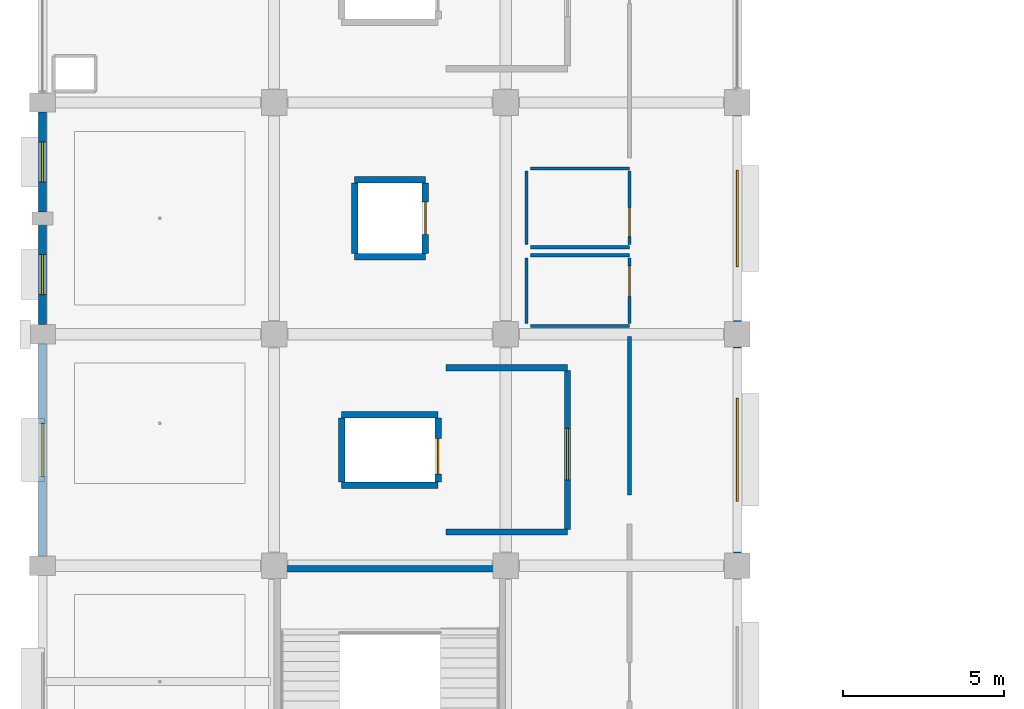
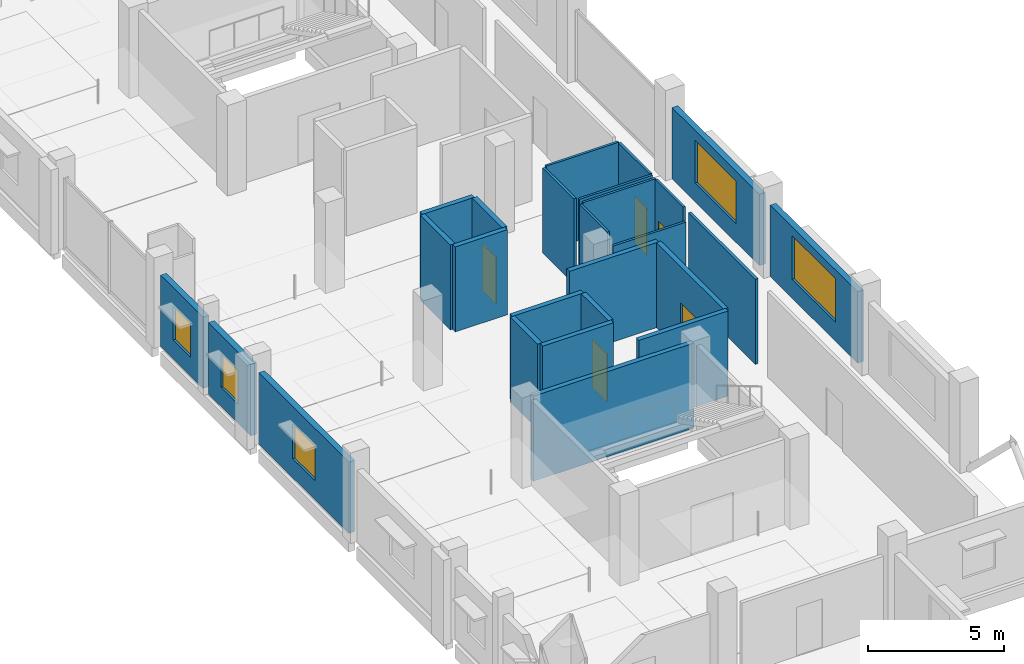
# One storey, part 80 of 108: 26 walls, 5 doors, 5 windows, 10 openings.
"""IFC4 building model written with IfcOpenShell, lengths in metres."""

from ifc_helpers import new_model, si_unit, direction, frame, frame_2d, origin, place, context, subcontext, project, spatial, rectangle, extrude, material, layer, layer_set, type_object, element, fill, save


model = new_model("IFC4")

# Units and contexts
model_context = context("Model", 3, precision=1e-05, world=origin(), true_north=direction((0.0, 1.0)))
body_context = subcontext(model_context, "Body", "Model", "MODEL_VIEW")
ifc_project = project(units=[si_unit("LENGTHUNIT", "METRE"), si_unit("AREAUNIT", "SQUARE_METRE"), si_unit("VOLUMEUNIT", "CUBIC_METRE"), si_unit("PLANEANGLEUNIT", "RADIAN"), si_unit("MASSUNIT", "GRAM", prefix="KILO")], contexts=[model_context])

# Site, building, storey
site_placement = place(None, origin())
site = spatial("IfcSite", under=ifc_project, at=site_placement, CompositionType="ELEMENT")
building_placement = place(site_placement, origin())
building = spatial("IfcBuilding", under=site, at=building_placement, Name="Kangsadwip Square Police Headquarters", CompositionType="ELEMENT")
storey_placement = place(building_placement, frame((0.0, 0.0, 9.449951171875)))
storey = spatial("IfcBuildingStorey", under=building, at=storey_placement, Name="L02", CompositionType="ELEMENT", Elevation=9.449951171875)

# Wall
ifc_material_1 = material(Name="Fire-rated double gypsum board acoustic stud partition", Category="masonry")
ifc_layer_1 = layer(ifc_material_1, 0.1201171875)
ifc_layer_set_1 = layer_set([ifc_layer_1], Name="Fire-rated double gypsum board acoustic stud partition")
wall_type_1 = type_object("IfcWallType", Name="AcousticPartition120", PredefinedType="PARTITIONING", material=ifc_layer_set_1)
wall_1_placement = place(storey_placement, frame((18.25, 52.60009765625, 0.0), z_axis=(0.0, 0.0, 1.0), x_axis=(0.0, 1.0, 0.0)))
element("IfcWall", 1, at=wall_1_placement, inside=storey, type_object=wall_type_1, Name="Interior Wall WI-L02-0781", PredefinedType="PARTITIONING", context=body_context, shape_type="SweptSolid", body=[
    extrude(rectangle(XDim=4.919921875, YDim=0.1201171875, at=frame_2d((2.4599609375, 0.0))), origin(), (0.0, 0.0, 1.0), 3.81005859375),
])

# Wall, opening, window
ifc_material_2 = material(Name="Glazed architectural terracotta masonry rainscreen", Category="masonry")
ifc_layer_2 = layer(ifc_material_2, 0.25)
ifc_layer_set_2 = layer_set([ifc_layer_2], Name="Glazed architectural terracotta masonry rainscreen")
wall_type_2 = type_object("IfcWallType", Name="ChicagoTerracottaWall250", PredefinedType="SOLIDWALL", material=ifc_layer_set_2)
wall_2_placement = place(storey_placement, frame((0.0, 50.695068359375, 0.0), z_axis=(0.0, 0.0, 1.0), x_axis=(0.0, 1.0, 0.0)))
wall_2 = element("IfcWall", 2, at=wall_2_placement, inside=storey, type_object=wall_type_2, Name="Exterior Wall WE-L02-321", PredefinedType="SOLIDWALL", context=body_context, shape_type="SweptSolid", body=[
    extrude(rectangle(XDim=6.60986328125, YDim=0.25, at=frame_2d((3.304931640625, 0.0))), origin(), (0.0, 0.0, 1.0), 3.195068359375),
])
opening_1_placement = place(wall_2_placement, frame((2.47998046875, 0.0, 0.85009765625)))
opening_1 = element("IfcOpeningElement", 3, at=opening_1_placement, cuts=wall_2, Name="Opening WN-11", PredefinedType="OPENING", context=body_context, shape_type="SweptSolid", body=[
    extrude(rectangle(XDim=1.64990234375, YDim=1.550048828125, at=frame_2d((0.824951171875, 0.77490234375))), frame((0.0, 0.135009765625, 0.0), z_axis=(0.0, -1.0, 0.0), x_axis=(1.0, 0.0, 0.0)), (0.0, 0.0, 1.0), 0.27001953125),
])
ifc_material_3 = material(Name="Double-glazed solar-control low-E safety glass", Category="glass")
window_type_1 = type_object("IfcWindowType", Name="LabCleanViewWin1650x1550", PartitioningType="SINGLE_PANEL", PredefinedType="WINDOW", material=ifc_material_3)
window_1_placement = place(opening_1_placement, origin())
window_1 = element("IfcWindow", 4, at=window_1_placement, inside=storey, type_object=window_type_1, Name="Window WN-L02-0174", OverallHeight=1.550048828125, OverallWidth=1.64990234375, PartitioningType="SINGLE_PANEL", PredefinedType="WINDOW", context=body_context, shape_type="SweptSolid", body=[
    extrude(rectangle(XDim=1.64990234375, YDim=1.550048828125, at=frame_2d((0.824951171875, 0.77490234375))), frame((0.0, 0.030029296875, 0.0), z_axis=(0.0, -1.0, 0.0), x_axis=(1.0, 0.0, 0.0)), (0.0, 0.0, 1.0), 0.06005859375),
])
fill(opening_1, window_1)

wall_3_placement = place(storey_placement, frame((0.0, 57.89501953125, 0.0), z_axis=(0.0, 0.0, 1.0), x_axis=(0.0, 1.0, 0.0)))
wall_3 = element("IfcWall", 5, at=wall_3_placement, inside=storey, type_object=wall_type_2, Name="Exterior Wall WE-L02-322", PredefinedType="SOLIDWALL", context=body_context, shape_type="SweptSolid", body=[
    extrude(rectangle(XDim=3.10986328125, YDim=0.25, at=frame_2d((1.554931640625, 0.0))), origin(), (0.0, 0.0, 1.0), 3.195068359375),
])
opening_2_placement = place(wall_3_placement, frame((0.929931640625, 0.0, 0.85009765625)))
opening_2 = element("IfcOpeningElement", 6, at=opening_2_placement, cuts=wall_3, Name="Opening WN-14", PredefinedType="OPENING", context=body_context, shape_type="SweptSolid", body=[
    extrude(rectangle(XDim=1.25, YDim=1.5, at=frame_2d((0.625, 0.75))), frame((0.0, 0.135009765625, 0.0), z_axis=(0.0, -1.0, 0.0), x_axis=(1.0, 0.0, 0.0)), (0.0, 0.0, 1.0), 0.27001953125),
])
ifc_material_4 = material(Name="Double-glazed solar-control low-E safety glass", Category="glass")
window_type_2 = type_object("IfcWindowType", Name="OfficeCasementWin1250x1500", PartitioningType="SINGLE_PANEL", PredefinedType="WINDOW", material=ifc_material_4)
window_2_placement = place(opening_2_placement, origin())
window_2 = element("IfcWindow", 7, at=window_2_placement, inside=storey, type_object=window_type_2, Name="Window WN-L02-0175", OverallHeight=1.5, OverallWidth=1.25, PartitioningType="SINGLE_PANEL", PredefinedType="WINDOW", context=body_context, shape_type="SweptSolid", body=[
    extrude(rectangle(XDim=1.25, YDim=1.5, at=frame_2d((0.625, 0.75))), frame((0.0, 0.030029296875, 0.0), z_axis=(0.0, -1.0, 0.0), x_axis=(1.0, 0.0, 0.0)), (0.0, 0.0, 1.0), 0.06005859375),
])
fill(opening_2, window_2)

wall_4_placement = place(storey_placement, frame((0.0, 61.39501953125, 0.0), z_axis=(0.0, 0.0, 1.0), x_axis=(0.0, 1.0, 0.0)))
wall_4 = element("IfcWall", 8, at=wall_4_placement, inside=storey, type_object=wall_type_2, Name="Exterior Wall WE-L02-323", PredefinedType="SOLIDWALL", context=body_context, shape_type="SweptSolid", body=[
    extrude(rectangle(XDim=3.10986328125, YDim=0.25, at=frame_2d((1.554931640625, 0.0))), origin(), (0.0, 0.0, 1.0), 3.195068359375),
])
opening_3_placement = place(wall_4_placement, frame((0.929931640625, 0.0, 0.85009765625)))
opening_3 = element("IfcOpeningElement", 9, at=opening_3_placement, cuts=wall_4, Name="Opening WN-14", PredefinedType="OPENING", context=body_context, shape_type="SweptSolid", body=[
    extrude(rectangle(XDim=1.25, YDim=1.5, at=frame_2d((0.625, 0.75))), frame((0.0, 0.135009765625, 0.0), z_axis=(0.0, -1.0, 0.0), x_axis=(1.0, 0.0, 0.0)), (0.0, 0.0, 1.0), 0.27001953125),
])
window_3_placement = place(opening_3_placement, origin())
window_3 = element("IfcWindow", 10, at=window_3_placement, inside=storey, type_object=window_type_2, Name="Window WN-L02-0176", OverallHeight=1.5, OverallWidth=1.25, PartitioningType="SINGLE_PANEL", PredefinedType="WINDOW", context=body_context, shape_type="SweptSolid", body=[
    extrude(rectangle(XDim=1.25, YDim=1.5, at=frame_2d((0.625, 0.75))), frame((0.0, 0.030029296875, 0.0), z_axis=(0.0, -1.0, 0.0), x_axis=(1.0, 0.0, 0.0)), (0.0, 0.0, 1.0), 0.06005859375),
])
fill(opening_3, window_3)

wall_5_placement = place(storey_placement, frame((21.60009765625, 50.794921875, 0.0), z_axis=(0.0, 0.0, 1.0), x_axis=(0.0, 1.0, 0.0)))
wall_5 = element("IfcWall", 11, at=wall_5_placement, inside=storey, type_object=wall_type_2, Name="Exterior Wall WE-L02-333", PredefinedType="SOLIDWALL", context=body_context, shape_type="SweptSolid", body=[
    extrude(rectangle(XDim=6.41015625, YDim=0.25, at=frame_2d((3.205078125, 0.0))), origin(), (0.0, 0.0, 1.0), 3.195068359375),
])
opening_4_placement = place(wall_5_placement, frame((1.60498046875, 0.0, 0.85009765625)))
opening_4 = element("IfcOpeningElement", 12, at=opening_4_placement, cuts=wall_5, Name="Opening WN-03", PredefinedType="OPENING", context=body_context, shape_type="SweptSolid", body=[
    extrude(rectangle(XDim=3.199951171875, YDim=1.949951171875, at=frame_2d((1.60009765625, 0.97509765625))), frame((0.0, 0.135009765625, 0.0), z_axis=(0.0, -1.0, 0.0), x_axis=(1.0, 0.0, 0.0)), (0.0, 0.0, 1.0), 0.27001953125),
])
ifc_material_5 = material(Name="Double-glazed solar-control low-E safety glass", Category="glass")
window_type_3 = type_object("IfcWindowType", Name="ChicagoTripartiteWin3200x1950", PartitioningType="TRIPLE_PANEL_HORIZONTAL", PredefinedType="WINDOW", material=ifc_material_5)
window_4_placement = place(opening_4_placement, origin())
window_4 = element("IfcWindow", 13, at=window_4_placement, inside=storey, type_object=window_type_3, Name="Window WN-L02-0186", OverallHeight=1.949951171875, OverallWidth=3.199951171875, PartitioningType="SINGLE_PANEL", PredefinedType="WINDOW", context=body_context, shape_type="SweptSolid", body=[
    extrude(rectangle(XDim=3.199951171875, YDim=1.949951171875, at=frame_2d((1.60009765625, 0.97509765625))), frame((0.0, 0.030029296875, 0.0), z_axis=(0.0, -1.0, 0.0), x_axis=(1.0, 0.0, 0.0)), (0.0, 0.0, 1.0), 0.06005859375),
])
fill(opening_4, window_4)

wall_6_placement = place(storey_placement, frame((21.60009765625, 57.9951171875, 0.0), z_axis=(0.0, 0.0, 1.0), x_axis=(0.0, 1.0, 0.0)))
wall_6 = element("IfcWall", 14, at=wall_6_placement, inside=storey, type_object=wall_type_2, Name="Exterior Wall WE-L02-334", PredefinedType="SOLIDWALL", context=body_context, shape_type="SweptSolid", body=[
    extrude(rectangle(XDim=6.409912109375, YDim=0.25, at=frame_2d((3.205078125, 0.0))), origin(), (0.0, 0.0, 1.0), 3.195068359375),
])
opening_5_placement = place(wall_6_placement, frame((1.705078125, 0.0, 0.85009765625)))
opening_5 = element("IfcOpeningElement", 15, at=opening_5_placement, cuts=wall_6, Name="Opening WN-04", PredefinedType="OPENING", context=body_context, shape_type="SweptSolid", body=[
    extrude(rectangle(XDim=3.0, YDim=1.89990234375, at=frame_2d((1.5, 0.949951171875))), frame((0.0, 0.135009765625, 0.0), z_axis=(0.0, -1.0, 0.0), x_axis=(1.0, 0.0, 0.0)), (0.0, 0.0, 1.0), 0.27001953125),
])
ifc_material_6 = material(Name="Double-glazed solar-control low-E safety glass", Category="glass")
window_type_4 = type_object("IfcWindowType", Name="ChicagoTripartiteWin3000x1900", PartitioningType="TRIPLE_PANEL_HORIZONTAL", PredefinedType="WINDOW", material=ifc_material_6)
window_5_placement = place(opening_5_placement, origin())
window_5 = element("IfcWindow", 16, at=window_5_placement, inside=storey, type_object=window_type_4, Name="Window WN-L02-0187", OverallHeight=1.89990234375, OverallWidth=3.0, PartitioningType="SINGLE_PANEL", PredefinedType="WINDOW", context=body_context, shape_type="SweptSolid", body=[
    extrude(rectangle(XDim=3.0, YDim=1.89990234375, at=frame_2d((1.5, 0.949951171875))), frame((0.0, 0.030029296875, 0.0), z_axis=(0.0, -1.0, 0.0), x_axis=(1.0, 0.0, 0.0)), (0.0, 0.0, 1.0), 0.06005859375),
])
fill(opening_5, window_5)

# Walls
ifc_material_7 = material(Name="Concrete M40 (40 MPa)", Category="concrete")
ifc_layer_3 = layer(ifc_material_7, 0.199951171875)
ifc_layer_set_3 = layer_set([ifc_layer_3], Name="Concrete M40 (40 MPa)")
wall_type_3 = type_object("IfcWallType", Name="CoreShearWall200", PredefinedType="SHEAR", material=ifc_layer_set_3)
wall_7_placement = place(storey_placement, frame((7.39990234375, 50.300048828125, 0.0), z_axis=(0.0, 0.0, 1.0), x_axis=(1.0, 0.0, 0.0)))
element("IfcWall", 17, at=wall_7_placement, inside=storey, type_object=wall_type_3, Name="Interior Wall WI-L02-0022", PredefinedType="SHEAR", context=body_context, shape_type="SweptSolid", body=[
    extrude(rectangle(XDim=6.800048828125, YDim=0.199951171875, at=frame_2d((3.39990234375, 0.0))), origin(), (0.0, 0.0, 1.0), 3.81005859375),
])
for number, where, z_axis, x_axis, name in (
    (18, (9.300048828125, 52.89990234375, 0.0), (0.0, 0.0, 1.0), (1.0, 0.0, 0.0), "Interior Wall WI-L02-0243"),
    (19, (9.300048828125, 55.10009765625, 0.0), (0.0, 0.0, 1.0), (1.0, 0.0, 0.0), "Interior Wall WI-L02-0244"),
):
    element("IfcWall", number, at=place(storey_placement, frame(where, z_axis=z_axis, x_axis=x_axis)), inside=storey, type_object=wall_type_3, Name=name, PredefinedType="SHEAR", context=body_context, shape_type="SweptSolid", body=[
        extrude(rectangle(XDim=3.0, YDim=0.199951171875, at=frame_2d((1.5, 0.0))), origin(), (0.0, 0.0, 1.0), 3.81005859375),
    ])
wall_8_placement = place(storey_placement, frame((9.300048828125, 53.0, 0.0), z_axis=(0.0, 0.0, 1.0), x_axis=(0.0, 1.0, 0.0)))
element("IfcWall", 20, at=wall_8_placement, inside=storey, type_object=wall_type_3, Name="Interior Wall WI-L02-0245", PredefinedType="SHEAR", context=body_context, shape_type="SweptSolid", body=[
    extrude(rectangle(XDim=2.0, YDim=0.199951171875, at=frame_2d((1.0, 0.0))), origin(), (0.0, 0.0, 1.0), 3.81005859375),
])

# Wall, opening, door
wall_9_placement = place(storey_placement, frame((12.300048828125, 53.0, 0.0), z_axis=(0.0, 0.0, 1.0), x_axis=(0.0, 1.0, 0.0)))
wall_9 = element("IfcWall", 21, at=wall_9_placement, inside=storey, type_object=wall_type_3, Name="Interior Wall WI-L02-0246", PredefinedType="SHEAR", context=body_context, shape_type="SweptSolid", body=[
    extrude(rectangle(XDim=2.0, YDim=0.199951171875, at=frame_2d((1.0, 0.0))), origin(), (0.0, 0.0, 1.0), 3.81005859375),
])
opening_6_placement = place(wall_9_placement, frame((0.25, 0.0, 0.0)))
opening_6 = element("IfcOpeningElement", 22, at=opening_6_placement, cuts=wall_9, Name="Opening LD-004", PredefinedType="OPENING", context=body_context, shape_type="SweptSolid", body=[
    extrude(rectangle(XDim=1.10009765625, YDim=2.14990234375, at=frame_2d((0.550048828125, 1.074951171875))), frame((0.0, 0.10986328125, 0.0), z_axis=(0.0, -1.0, 0.0), x_axis=(1.0, 0.0, 0.0)), (0.0, 0.0, 1.0), 0.219970703125),
])
ifc_material_8 = material(Name="Brushed stainless steel automatic sliding lift landing door", Category="steel")
door_type_1 = type_object("IfcDoorType", Name="LiftLandingDoor1100x2150", OperationType="DOUBLE_DOOR_SLIDING", PredefinedType="DOOR", material=ifc_material_8)
door_1_placement = place(opening_6_placement, origin())
door_1 = element("IfcDoor", 23, at=door_1_placement, inside=storey, type_object=door_type_1, Name="Interior Door LD-004", OperationType="DOUBLE_DOOR_SLIDING", OverallHeight=2.14990234375, OverallWidth=1.10009765625, PredefinedType="DOOR", context=body_context, shape_type="SweptSolid", body=[
    extrude(rectangle(XDim=1.10009765625, YDim=2.14990234375, at=frame_2d((0.550048828125, 1.074951171875))), frame((0.0, 0.02490234375, 0.0), z_axis=(0.0, -1.0, 0.0), x_axis=(1.0, 0.0, 0.0)), (0.0, 0.0, 1.0), 0.050048828125),
])
fill(opening_6, door_1)

# Walls
for number, where, z_axis, x_axis, name in (
    (24, (9.699951171875, 60.0, 0.0), (0.0, 0.0, 1.0), (1.0, 0.0, 0.0), "Interior Wall WI-L02-0359"),
    (25, (9.699951171875, 62.39990234375, 0.0), (0.0, 0.0, 1.0), (1.0, 0.0, 0.0), "Interior Wall WI-L02-0360"),
    (26, (9.699951171875, 60.10009765625, 0.0), (0.0, 0.0, 1.0), (0.0, 1.0, 0.0), "Interior Wall WI-L02-0361"),
):
    element("IfcWall", number, at=place(storey_placement, frame(where, z_axis=z_axis, x_axis=x_axis)), inside=storey, type_object=wall_type_3, Name=name, PredefinedType="SHEAR", context=body_context, shape_type="SweptSolid", body=[
        extrude(rectangle(XDim=2.199951171875, YDim=0.199951171875, at=frame_2d((1.10009765625, 0.0))), origin(), (0.0, 0.0, 1.0), 3.81005859375),
    ])

# Wall, opening, door
wall_10_placement = place(storey_placement, frame((11.89990234375, 60.10009765625, 0.0), z_axis=(0.0, 0.0, 1.0), x_axis=(0.0, 1.0, 0.0)))
wall_10 = element("IfcWall", 27, at=wall_10_placement, inside=storey, type_object=wall_type_3, Name="Interior Wall WI-L02-0362", PredefinedType="SHEAR", context=body_context, shape_type="SweptSolid", body=[
    extrude(rectangle(XDim=2.199951171875, YDim=0.199951171875, at=frame_2d((1.10009765625, 0.0))), origin(), (0.0, 0.0, 1.0), 3.81005859375),
])
opening_7_placement = place(wall_10_placement, frame((0.60009765625, 0.0, 0.0)))
opening_7 = element("IfcOpeningElement", 28, at=opening_7_placement, cuts=wall_10, Name="Opening LD-030", PredefinedType="OPENING", context=body_context, shape_type="SweptSolid", body=[
    extrude(rectangle(XDim=1.0, YDim=2.10009765625, at=frame_2d((0.5, 1.050048828125))), frame((0.0, 0.10986328125, 0.0), z_axis=(0.0, -1.0, 0.0), x_axis=(1.0, 0.0, 0.0)), (0.0, 0.0, 1.0), 0.219970703125),
])
ifc_material_9 = material(Name="Brushed stainless steel automatic sliding lift landing door", Category="steel")
door_type_2 = type_object("IfcDoorType", Name="LiftLandingDoor1000x2100", OperationType="DOUBLE_DOOR_SLIDING", PredefinedType="DOOR", material=ifc_material_9)
door_2_placement = place(opening_7_placement, origin())
door_2 = element("IfcDoor", 29, at=door_2_placement, inside=storey, type_object=door_type_2, Name="Interior Door LD-030", OperationType="DOUBLE_DOOR_SLIDING", OverallHeight=2.10009765625, OverallWidth=1.0, PredefinedType="DOOR", context=body_context, shape_type="SweptSolid", body=[
    extrude(rectangle(XDim=1.0, YDim=2.10009765625, at=frame_2d((0.5, 1.050048828125))), frame((0.0, 0.02490234375, 0.0), z_axis=(0.0, -1.0, 0.0), x_axis=(1.0, 0.0, 0.0)), (0.0, 0.0, 1.0), 0.050048828125),
])
fill(opening_7, door_2)

ifc_material_10 = material(Name="Concrete M40 (40 MPa)", Category="concrete")
ifc_layer_4 = layer(ifc_material_10, 0.199951171875)
ifc_layer_set_4 = layer_set([ifc_layer_4], Name="Concrete M40 (40 MPa)")
wall_type_4 = type_object("IfcWallType", Name="CustodySecurityWall200", PredefinedType="SOLIDWALL", material=ifc_layer_set_4)
wall_11_placement = place(storey_placement, frame((16.320068359375, 51.530029296875, 0.0), z_axis=(0.0, 0.0, 1.0), x_axis=(0.0, 1.0, 0.0)))
wall_11 = element("IfcWall", 30, at=wall_11_placement, inside=storey, type_object=wall_type_4, Name="Interior Wall WI-L02-0750", PredefinedType="SOLIDWALL", context=body_context, shape_type="SweptSolid", body=[
    extrude(rectangle(XDim=4.93994140625, YDim=0.199951171875, at=frame_2d((2.469970703125, 0.0))), origin(), (0.0, 0.0, 1.0), 3.81005859375),
])
opening_8_placement = place(wall_11_placement, frame((1.541015625, 0.0, 0.0)))
opening_8 = element("IfcOpeningElement", 31, at=opening_8_placement, cuts=wall_11, Name="Opening FD-16", PredefinedType="OPENING", context=body_context, shape_type="SweptSolid", body=[
    extrude(rectangle(XDim=1.60009765625, YDim=2.199951171875, at=frame_2d((0.800048828125, 1.10009765625))), frame((0.0, 0.10986328125, 0.0), z_axis=(0.0, -1.0, 0.0), x_axis=(1.0, 0.0, 0.0)), (0.0, 0.0, 1.0), 0.219970703125),
])
ifc_material_11 = material(Name="Insulated galvanized steel fire-rated door assembly", Category="steel")
door_type_3 = type_object("IfcDoorType", Name="FfLobbyFireDoor1600x2200", OperationType="DOUBLE_DOOR_SINGLE_SWING", PredefinedType="DOOR", material=ifc_material_11)
door_3_placement = place(opening_8_placement, origin())
door_3 = element("IfcDoor", 32, at=door_3_placement, inside=storey, type_object=door_type_3, Name="Interior Door ID-L02-0178", OperationType="DOUBLE_DOOR_SINGLE_SWING", OverallHeight=2.199951171875, OverallWidth=1.60009765625, PredefinedType="DOOR", context=body_context, shape_type="SweptSolid", body=[
    extrude(rectangle(XDim=1.60009765625, YDim=2.199951171875, at=frame_2d((0.800048828125, 1.10009765625))), frame((0.0, 0.02490234375, 0.0), z_axis=(0.0, -1.0, 0.0), x_axis=(1.0, 0.0, 0.0)), (0.0, 0.0, 1.0), 0.050048828125),
])
fill(opening_8, door_3)

# Walls
for number, where, z_axis, x_axis, name in (
    (33, (12.5400390625, 51.449951171875, 0.0), (0.0, 0.0, 1.0), (1.0, 0.0, 0.0), "Interior Wall WI-L02-0751"),
    (34, (12.5400390625, 56.550048828125, 0.0), (0.0, 0.0, 1.0), (1.0, 0.0, 0.0), "Interior Wall WI-L02-0752"),
):
    element("IfcWall", number, at=place(storey_placement, frame(where, z_axis=z_axis, x_axis=x_axis)), inside=storey, type_object=wall_type_4, Name=name, PredefinedType="SOLIDWALL", context=body_context, shape_type="SweptSolid", body=[
        extrude(rectangle(XDim=3.780029296875, YDim=0.199951171875, at=frame_2d((1.89013671875, 0.0))), origin(), (0.0, 0.0, 1.0), 3.81005859375),
    ])

# Wall, opening, door
ifc_material_12 = material(Name="Autoclaved aerated concrete blockwork masonry", Category="masonry")
ifc_layer_5 = layer(ifc_material_12, 0.10009765625)
ifc_layer_set_5 = layer_set([ifc_layer_5], Name="Autoclaved aerated concrete blockwork masonry")
wall_type_5 = type_object("IfcWallType", Name="WetWallPartition100", PredefinedType="PARTITIONING", material=ifc_layer_set_5)
wall_12_placement = place(storey_placement, frame((18.25, 57.929931640625, 0.0), z_axis=(0.0, 0.0, 1.0), x_axis=(0.0, 1.0, 0.0)))
wall_12 = element("IfcWall", 35, at=wall_12_placement, inside=storey, type_object=wall_type_5, Name="Interior Wall WI-L02-0759", PredefinedType="PARTITIONING", context=body_context, shape_type="SweptSolid", body=[
    extrude(rectangle(XDim=2.0400390625, YDim=0.10009765625, at=frame_2d((1.02001953125, 0.0))), origin(), (0.0, 0.0, 1.0), 3.81005859375),
])
opening_9_placement = place(wall_12_placement, frame((0.840087890625, 0.0, 0.0)))
opening_9 = element("IfcOpeningElement", 36, at=opening_9_placement, cuts=wall_12, Name="Opening WD-09A", PredefinedType="OPENING", context=body_context, shape_type="SweptSolid", body=[
    extrude(rectangle(XDim=0.949951171875, YDim=2.10009765625, at=frame_2d((0.47509765625, 1.050048828125))), frame((0.0, 0.06005859375, 0.0), z_axis=(0.0, -1.0, 0.0), x_axis=(1.0, 0.0, 0.0)), (0.0, 0.0, 1.0), 0.1201171875),
])
ifc_material_13 = material(Name="Solid-core seasoned teak hardwood architectural door", Category="wood")
door_type_4 = type_object("IfcDoorType", Name="AccessibleWcDoor950x2100", OperationType="NOTDEFINED", PredefinedType="DOOR", material=ifc_material_13)
door_4_placement = place(opening_9_placement, origin())
door_4 = element("IfcDoor", 37, at=door_4_placement, inside=storey, type_object=door_type_4, Name="Interior Door ID-L02-0181", OperationType="SINGLE_SWING_RIGHT", OverallHeight=2.10009765625, OverallWidth=0.949951171875, PredefinedType="DOOR", context=body_context, shape_type="SweptSolid", body=[
    extrude(rectangle(XDim=0.949951171875, YDim=2.10009765625, at=frame_2d((0.47509765625, 1.050048828125))), frame((0.0, 0.02490234375, 0.0), z_axis=(0.0, -1.0, 0.0), x_axis=(1.0, 0.0, 0.0)), (0.0, 0.0, 1.0), 0.050048828125),
])
fill(opening_9, door_4)

# Walls
wall_13_placement = place(storey_placement, frame((15.169921875, 57.85009765625, 0.0), z_axis=(0.0, 0.0, 1.0), x_axis=(1.0, 0.0, 0.0)))
element("IfcWall", 38, at=wall_13_placement, inside=storey, type_object=wall_type_5, Name="Interior Wall WI-L02-0760", PredefinedType="PARTITIONING", context=body_context, shape_type="SweptSolid", body=[
    extrude(rectangle(XDim=3.080078125, YDim=0.10009765625, at=frame_2d((1.5400390625, 0.0))), origin(), (0.0, 0.0, 1.0), 3.199951171875),
])
wall_14_placement = place(storey_placement, frame((15.169921875, 60.050048828125, 0.0), z_axis=(0.0, 0.0, 1.0), x_axis=(1.0, 0.0, 0.0)))
element("IfcWall", 39, at=wall_14_placement, inside=storey, type_object=wall_type_5, Name="Interior Wall WI-L02-0761", PredefinedType="PARTITIONING", context=body_context, shape_type="SweptSolid", body=[
    extrude(rectangle(XDim=3.080078125, YDim=0.10009765625, at=frame_2d((1.5400390625, 0.0))), origin(), (0.0, 0.0, 1.0), 3.81005859375),
])
wall_15_placement = place(storey_placement, frame((15.050048828125, 57.929931640625, 0.0), z_axis=(0.0, 0.0, 1.0), x_axis=(0.0, 1.0, 0.0)))
element("IfcWall", 40, at=wall_15_placement, inside=storey, type_object=wall_type_5, Name="Interior Wall WI-L02-0762", PredefinedType="PARTITIONING", context=body_context, shape_type="SweptSolid", body=[
    extrude(rectangle(XDim=2.0400390625, YDim=0.10009765625, at=frame_2d((1.02001953125, 0.0))), origin(), (0.0, 0.0, 1.0), 3.81005859375),
])

# Wall, opening, door
wall_16_placement = place(storey_placement, frame((18.25, 60.3798828125, 0.0), z_axis=(0.0, 0.0, 1.0), x_axis=(0.0, 1.0, 0.0)))
wall_16 = element("IfcWall", 41, at=wall_16_placement, inside=storey, type_object=wall_type_5, Name="Interior Wall WI-L02-0763", PredefinedType="PARTITIONING", context=body_context, shape_type="SweptSolid", body=[
    extrude(rectangle(XDim=2.2900390625, YDim=0.10009765625, at=frame_2d((1.14501953125, 0.0))), origin(), (0.0, 0.0, 1.0), 3.81005859375),
])
opening_10_placement = place(wall_16_placement, frame((0.25, 0.0, 0.0)))
opening_10 = element("IfcOpeningElement", 42, at=opening_10_placement, cuts=wall_16, Name="Opening WD-09B", PredefinedType="OPENING", context=body_context, shape_type="SweptSolid", body=[
    extrude(rectangle(XDim=0.89990234375, YDim=2.10009765625, at=frame_2d((0.449951171875, 1.050048828125))), frame((0.0, 0.06005859375, 0.0), z_axis=(0.0, -1.0, 0.0), x_axis=(1.0, 0.0, 0.0)), (0.0, 0.0, 1.0), 0.1201171875),
])
ifc_material_14 = material(Name="Solid-core seasoned teak hardwood architectural door", Category="wood")
door_type_5 = type_object("IfcDoorType", Name="ToiletRoomDoor900x2100", OperationType="NOTDEFINED", PredefinedType="DOOR", material=ifc_material_14)
door_5_placement = place(opening_10_placement, origin())
door_5 = element("IfcDoor", 43, at=door_5_placement, inside=storey, type_object=door_type_5, Name="Interior Door ID-L02-0182", OperationType="SINGLE_SWING_LEFT", OverallHeight=2.10009765625, OverallWidth=0.89990234375, PredefinedType="DOOR", context=body_context, shape_type="SweptSolid", body=[
    extrude(rectangle(XDim=0.89990234375, YDim=2.10009765625, at=frame_2d((0.449951171875, 1.050048828125))), frame((0.0, 0.02490234375, 0.0), z_axis=(0.0, -1.0, 0.0), x_axis=(1.0, 0.0, 0.0)), (0.0, 0.0, 1.0), 0.050048828125),
])
fill(opening_10, door_5)

# Walls
for number, where, z_axis, x_axis, name in (
    (44, (15.169921875, 60.300048828125, 0.0), (0.0, 0.0, 1.0), (1.0, 0.0, 0.0), "Interior Wall WI-L02-0764"),
    (45, (15.169921875, 62.75, 0.0), (0.0, 0.0, 1.0), (1.0, 0.0, 0.0), "Interior Wall WI-L02-0765"),
):
    element("IfcWall", number, at=place(storey_placement, frame(where, z_axis=z_axis, x_axis=x_axis)), inside=storey, type_object=wall_type_5, Name=name, PredefinedType="PARTITIONING", context=body_context, shape_type="SweptSolid", body=[
        extrude(rectangle(XDim=3.080078125, YDim=0.10009765625, at=frame_2d((1.5400390625, 0.0))), origin(), (0.0, 0.0, 1.0), 3.81005859375),
    ])
wall_17_placement = place(storey_placement, frame((15.050048828125, 60.3798828125, 0.0), z_axis=(0.0, 0.0, 1.0), x_axis=(0.0, 1.0, 0.0)))
element("IfcWall", 46, at=wall_17_placement, inside=storey, type_object=wall_type_5, Name="Interior Wall WI-L02-0766", PredefinedType="PARTITIONING", context=body_context, shape_type="SweptSolid", body=[
    extrude(rectangle(XDim=2.2900390625, YDim=0.10009765625, at=frame_2d((1.14501953125, 0.0))), origin(), (0.0, 0.0, 1.0), 3.81005859375),
])

save(model, "model.ifc")
